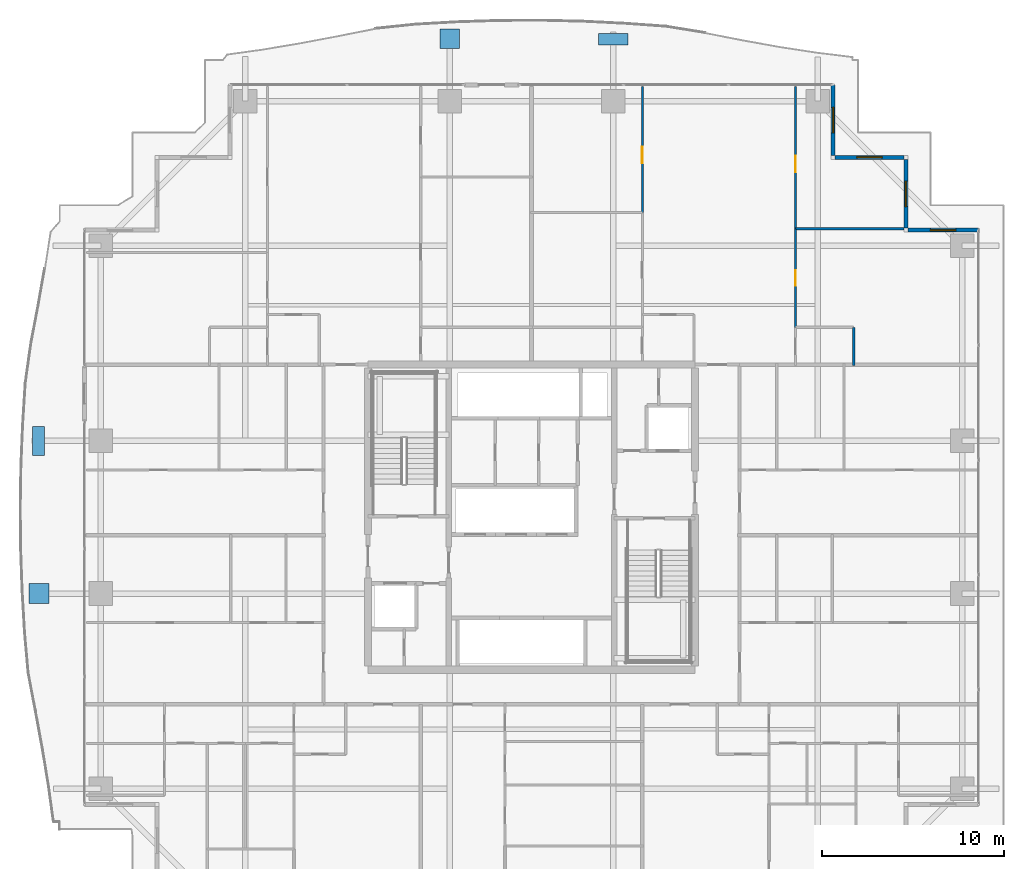
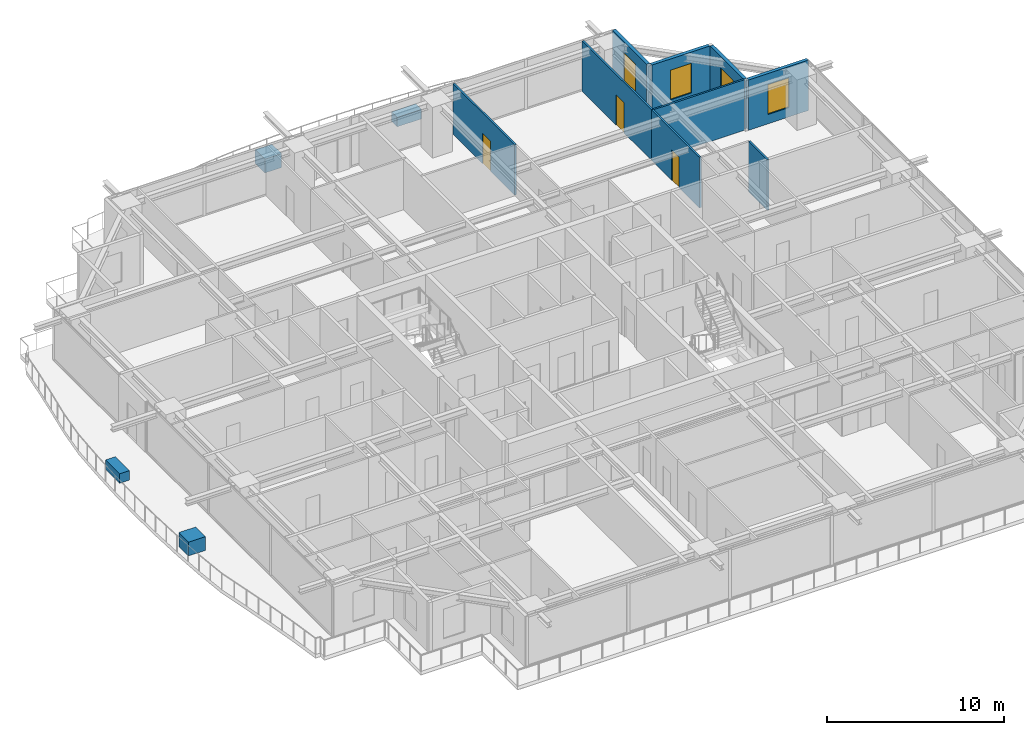
# One storey, part 32 of 38: 9 walls, 4 discrete accessories, 4 windows, 3 doors, 7 openings.
"""IFC4 building model written with IfcOpenShell, lengths in metres."""

from ifc_helpers import new_model, si_unit, direction, frame, frame_2d, origin, origin_2d, place, context, subcontext, project, spatial, rectangle, extrude, source, transform, mapped, material, layer, layer_set, type_object, element, fill, save


model = new_model("IFC4")

# Units and contexts
model_context = context("Model", 3, precision=1e-05, world=origin(), true_north=direction((0.0, 1.0)))
body_context = subcontext(model_context, "Body", "Model", "MODEL_VIEW")
ifc_project = project(units=[si_unit("LENGTHUNIT", "METRE"), si_unit("AREAUNIT", "SQUARE_METRE"), si_unit("VOLUMEUNIT", "CUBIC_METRE"), si_unit("PLANEANGLEUNIT", "RADIAN"), si_unit("MASSUNIT", "GRAM", prefix="KILO")], contexts=[model_context])

# Site, building, storey
site_placement = place(None, origin())
site = spatial("IfcSite", under=ifc_project, at=site_placement, CompositionType="ELEMENT")
building_placement = place(site_placement, origin())
building = spatial("IfcBuilding", under=site, at=building_placement, Name="Serunith Strait Residences", CompositionType="ELEMENT")
storey_placement = place(building_placement, frame((0.0, 0.0, 120.14990234375)))
storey = spatial("IfcBuildingStorey", under=building, at=storey_placement, Name="L29", CompositionType="ELEMENT", Elevation=120.14990234375)

# Wall, opening, window
ifc_material_1 = material(Name="Pale-Champagne Aluminium Insulated Panel", Category="aluminium")
ifc_layer_1 = layer(ifc_material_1, 0.219970703125, Name="Pale-Champagne Aluminium Insulated Panel")
ifc_layer_set_1 = layer_set([ifc_layer_1], Name="Pale-Champagne Aluminium Insulated Panel")
wall_type_1 = type_object("IfcWallType", Name="EW-ALUM-220", PredefinedType="ELEMENTEDWALL", material=ifc_layer_set_1)
wall_1_placement = place(storey_placement, frame((57.0, 41.0, 0.0), z_axis=(0.0, 0.0, 1.0), x_axis=(-1.0, 0.0, 0.0)))
wall_1 = element("IfcWall", 1, at=wall_1_placement, inside=storey, type_object=wall_type_1, Name="L29 Girih Serrated Corner Wall 07", PredefinedType="ELEMENTEDWALL", context=body_context, shape_type="SweptSolid", body=[
    extrude(rectangle(XDim=3.889892578125, YDim=0.219970703125, at=frame_2d((1.94482421875, 0.0))), origin(), (0.0, 0.0, 1.0), 3.47509765625),
])
opening_1_placement = place(wall_1_placement, frame((1.2451171875, 0.0, 0.64990234375)))
opening_1 = element("IfcOpeningElement", 2, at=opening_1_placement, cuts=wall_1, Name="Opening W-03", PredefinedType="OPENING", context=body_context, shape_type="SweptSolid", body=[
    extrude(rectangle(XDim=1.39990234375, YDim=2.050048828125, at=frame_2d((0.699951171875, 1.02490234375))), frame((0.0, 0.1201171875, 0.0), z_axis=(0.0, -1.0, 0.0), x_axis=(1.0, 0.0, 0.0)), (0.0, 0.0, 1.0), 0.239990234375),
])
ifc_material_2 = material(Name="Ceramic-Fritted Operable Aluminium Window Glass", Category="aluminium")
window_type = type_object("IfcWindowType", Name="WIN-C3", PartitioningType="SINGLE_PANEL", PredefinedType="WINDOW", material=ifc_material_2)
shared_shape_1 = source(origin(), body_context, "Body", "SweptSolid", [
    extrude(rectangle(XDim=1.39990234375, YDim=2.050048828125, at=frame_2d((0.699951171875, 1.02490234375))), frame((0.0, 0.030029296875, 0.0), z_axis=(0.0, -1.0, 0.0), x_axis=(1.0, 0.0, 0.0)), (0.0, 0.0, 1.0), 0.06005859375),
])
window_1_placement = place(opening_1_placement, origin())
window_1 = element("IfcWindow", 3, at=window_1_placement, inside=storey, type_object=window_type, Name="L29 Corner Operable Fritted Window 07", OverallHeight=2.050048828125, OverallWidth=1.39990234375, PartitioningType="SINGLE_PANEL", PredefinedType="WINDOW", context=body_context, shape_type="MappedRepresentation", body=[
    mapped(shared_shape_1, transform((0.0, 0.0, 0.0), scale=1.0)),
])
fill(opening_1, window_1)

wall_2_placement = place(storey_placement, frame((53.0, 41.110107421875, 0.0), z_axis=(0.0, 0.0, 1.0), x_axis=(0.0, 1.0, 0.0)))
wall_2 = element("IfcWall", 4, at=wall_2_placement, inside=storey, type_object=wall_type_1, Name="L29 Girih Serrated Corner Wall 08", PredefinedType="ELEMENTEDWALL", context=body_context, shape_type="SweptSolid", body=[
    extrude(rectangle(XDim=3.77978515625, YDim=0.219970703125, at=frame_2d((1.889892578125, 0.0))), origin(), (0.0, 0.0, 1.0), 3.47509765625),
])
opening_2_placement = place(wall_2_placement, frame((1.18994140625, 0.0, 0.64990234375)))
opening_2 = element("IfcOpeningElement", 5, at=opening_2_placement, cuts=wall_2, Name="Opening W-03", PredefinedType="OPENING", context=body_context, shape_type="SweptSolid", body=[
    extrude(rectangle(XDim=1.39990234375, YDim=2.050048828125, at=frame_2d((0.699951171875, 1.02490234375))), frame((0.0, 0.1201171875, 0.0), z_axis=(0.0, -1.0, 0.0), x_axis=(1.0, 0.0, 0.0)), (0.0, 0.0, 1.0), 0.239990234375),
])
window_2_placement = place(opening_2_placement, origin())
window_2 = element("IfcWindow", 6, at=window_2_placement, inside=storey, type_object=window_type, Name="L29 Corner Operable Fritted Window 08", OverallHeight=2.050048828125, OverallWidth=1.39990234375, PartitioningType="SINGLE_PANEL", PredefinedType="WINDOW", context=body_context, shape_type="MappedRepresentation", body=[
    mapped(shared_shape_1, transform((0.0, 0.0, 0.0), scale=1.0)),
])
fill(opening_2, window_2)

wall_3_placement = place(storey_placement, frame((52.889892578125, 45.0, 0.0), z_axis=(0.0, 0.0, 1.0), x_axis=(-1.0, 0.0, 0.0)))
wall_3 = element("IfcWall", 7, at=wall_3_placement, inside=storey, type_object=wall_type_1, Name="L29 Girih Serrated Corner Wall 09", PredefinedType="ELEMENTEDWALL", context=body_context, shape_type="SweptSolid", body=[
    extrude(rectangle(XDim=3.77978515625, YDim=0.219970703125, at=frame_2d((1.889892578125, 0.0))), origin(), (0.0, 0.0, 1.0), 3.47509765625),
])
opening_3_placement = place(wall_3_placement, frame((1.18994140625, 0.0, 0.64990234375)))
opening_3 = element("IfcOpeningElement", 8, at=opening_3_placement, cuts=wall_3, Name="Opening W-03", PredefinedType="OPENING", context=body_context, shape_type="SweptSolid", body=[
    extrude(rectangle(XDim=1.39990234375, YDim=2.050048828125, at=frame_2d((0.699951171875, 1.02490234375))), frame((0.0, 0.1201171875, 0.0), z_axis=(0.0, -1.0, 0.0), x_axis=(1.0, 0.0, 0.0)), (0.0, 0.0, 1.0), 0.239990234375),
])
window_3_placement = place(opening_3_placement, origin())
window_3 = element("IfcWindow", 9, at=window_3_placement, inside=storey, type_object=window_type, Name="L29 Corner Operable Fritted Window 09", OverallHeight=2.050048828125, OverallWidth=1.39990234375, PartitioningType="SINGLE_PANEL", PredefinedType="WINDOW", context=body_context, shape_type="MappedRepresentation", body=[
    mapped(shared_shape_1, transform((0.0, 0.0, 0.0), scale=1.0)),
])
fill(opening_3, window_3)

wall_4_placement = place(storey_placement, frame((49.0, 45.110107421875, 0.0), z_axis=(0.0, 0.0, 1.0), x_axis=(0.0, 1.0, 0.0)))
wall_4 = element("IfcWall", 10, at=wall_4_placement, inside=storey, type_object=wall_type_1, Name="L29 Girih Serrated Corner Wall 10", PredefinedType="ELEMENTEDWALL", context=body_context, shape_type="SweptSolid", body=[
    extrude(rectangle(XDim=3.889892578125, YDim=0.219970703125, at=frame_2d((1.94482421875, 0.0))), origin(), (0.0, 0.0, 1.0), 3.47509765625),
])
opening_4_placement = place(wall_4_placement, frame((1.2451171875, 0.0, 0.64990234375)))
opening_4 = element("IfcOpeningElement", 11, at=opening_4_placement, cuts=wall_4, Name="Opening W-03", PredefinedType="OPENING", context=body_context, shape_type="SweptSolid", body=[
    extrude(rectangle(XDim=1.39990234375, YDim=2.050048828125, at=frame_2d((0.699951171875, 1.02490234375))), frame((0.0, 0.1201171875, 0.0), z_axis=(0.0, -1.0, 0.0), x_axis=(1.0, 0.0, 0.0)), (0.0, 0.0, 1.0), 0.239990234375),
])
window_4_placement = place(opening_4_placement, origin())
window_4 = element("IfcWindow", 12, at=window_4_placement, inside=storey, type_object=window_type, Name="L29 Corner Operable Fritted Window 10", OverallHeight=2.050048828125, OverallWidth=1.39990234375, PartitioningType="SINGLE_PANEL", PredefinedType="WINDOW", context=body_context, shape_type="MappedRepresentation", body=[
    mapped(shared_shape_1, transform((0.0, 0.0, 0.0), scale=1.0)),
])
fill(opening_4, window_4)

# Wall, opening, door
ifc_material_3 = material(Name="Lightweight steel-stud gypsum partition", Category="steel")
ifc_layer_2 = layer(ifc_material_3, 0.1201171875, Name="Lightweight steel-stud gypsum partition")
ifc_layer_set_2 = layer_set([ifc_layer_2], Name="Lightweight steel-stud gypsum partition")
wall_type_2 = type_object("IfcWallType", Name="IW-PART-120", PredefinedType="PARTITIONING", material=ifc_layer_set_2)
wall_5_placement = place(storey_placement, frame((38.5, 48.905029296875, 0.0), z_axis=(0.0, 0.0, 1.0), x_axis=(0.0, -1.0, 0.0)))
wall_5 = element("IfcWall", 13, at=wall_5_placement, inside=storey, type_object=wall_type_2, Name="L29 Partition Wall 083", PredefinedType="PARTITIONING", context=body_context, shape_type="SweptSolid", body=[
    extrude(rectangle(XDim=6.93994140625, YDim=0.1201171875, at=frame_2d((3.469970703125, 0.0))), origin(), (0.0, 0.0, 1.0), 3.489990234375),
])
opening_5_placement = place(wall_5_placement, frame((3.322021484375, 0.0, 0.0)))
opening_5 = element("IfcOpeningElement", 14, at=opening_5_placement, cuts=wall_5, Name="Opening D-RM900", PredefinedType="OPENING", context=body_context, shape_type="SweptSolid", body=[
    extrude(rectangle(XDim=0.89990234375, YDim=2.10009765625, at=frame_2d((0.449951171875, 1.050048828125))), frame((0.0, 0.070068359375, 0.0), z_axis=(0.0, -1.0, 0.0), x_axis=(1.0, 0.0, 0.0)), (0.0, 0.0, 1.0), 0.14013671875),
])
ifc_material_4 = material(Name="Engineered timber flush bedroom door", Category="wood")
door_type_1 = type_object("IfcDoorType", Name="ID-ROOM-900", OperationType="NOTDEFINED", PredefinedType="DOOR", material=ifc_material_4)
shared_shape_2 = source(origin(), body_context, "Body", "SweptSolid", [
    extrude(rectangle(XDim=0.89990234375, YDim=2.10009765625, at=frame_2d((0.449951171875, 1.050048828125))), frame((0.0, 0.02490234375, 0.0), z_axis=(0.0, -1.0, 0.0), x_axis=(1.0, 0.0, 0.0)), (0.0, 0.0, 1.0), 0.050048828125),
])
door_1_placement = place(opening_5_placement, origin())
door_1 = element("IfcDoor", 15, at=door_1_placement, inside=storey, type_object=door_type_1, Name="L29 Master Bedroom 1 2905 Door", OperationType="SINGLE_SWING_LEFT", OverallHeight=2.10009765625, OverallWidth=0.89990234375, PredefinedType="DOOR", context=body_context, shape_type="MappedRepresentation", body=[
    mapped(shared_shape_2, transform((0.0, 0.0, 0.0), scale=1.0)),
])
fill(opening_5, door_1)

wall_6_placement = place(storey_placement, frame((46.929931640625, 48.905029296875, 0.0), z_axis=(0.0, 0.0, 1.0), x_axis=(0.0, -1.0, 0.0)))
wall_6 = element("IfcWall", 16, at=wall_6_placement, inside=storey, type_object=wall_type_2, Name="L29 Partition Wall 088", PredefinedType="PARTITIONING", context=body_context, shape_type="SweptSolid", body=[
    extrude(rectangle(XDim=7.830078125, YDim=0.1201171875, at=frame_2d((3.9150390625, 0.0))), origin(), (0.0, 0.0, 1.0), 3.489990234375),
])
opening_6_placement = place(wall_6_placement, frame((3.81103515625, 0.0, 0.0)))
opening_6 = element("IfcOpeningElement", 17, at=opening_6_placement, cuts=wall_6, Name="Opening D-RM900", PredefinedType="OPENING", context=body_context, shape_type="SweptSolid", body=[
    extrude(rectangle(XDim=0.89990234375, YDim=2.10009765625, at=frame_2d((0.449951171875, 1.050048828125))), frame((0.0, 0.070068359375, 0.0), z_axis=(0.0, -1.0, 0.0), x_axis=(1.0, 0.0, 0.0)), (0.0, 0.0, 1.0), 0.14013671875),
])
door_2_placement = place(opening_6_placement, origin())
door_2 = element("IfcDoor", 18, at=door_2_placement, inside=storey, type_object=door_type_1, Name="L29 Bedroom 2 2905 Door", OperationType="SINGLE_SWING_RIGHT", OverallHeight=2.10009765625, OverallWidth=0.89990234375, PredefinedType="DOOR", context=body_context, shape_type="MappedRepresentation", body=[
    mapped(shared_shape_2, transform((0.0, 0.0, 0.0), scale=1.0)),
])
fill(opening_6, door_2)

# Walls
wall_7_placement = place(storey_placement, frame((46.929931640625, 41.074951171875, 0.0), z_axis=(0.0, 0.0, 1.0), x_axis=(1.0, 0.0, 0.0)))
element("IfcWall", 19, at=wall_7_placement, inside=storey, type_object=wall_type_2, Name="L29 Partition Wall 089", PredefinedType="PARTITIONING", context=body_context, shape_type="SweptSolid", body=[
    extrude(rectangle(XDim=5.97509765625, YDim=0.1201171875, at=frame_2d((2.987548828125, 0.0))), origin(), (0.0, 0.0, 1.0), 3.489990234375),
])
wall_8_placement = place(storey_placement, frame((50.1298828125, 35.64990234375, 0.0), z_axis=(0.0, 0.0, 1.0), x_axis=(0.0, -1.0, 0.0)))
element("IfcWall", 20, at=wall_8_placement, inside=storey, type_object=wall_type_2, Name="L29 Partition Wall 091", PredefinedType="PARTITIONING", context=body_context, shape_type="SweptSolid", body=[
    extrude(rectangle(XDim=2.10986328125, YDim=0.1201171875, at=frame_2d((1.054931640625, 0.0))), origin(), (0.0, 0.0, 1.0), 3.489990234375),
])

# Wall, opening, door
wall_9_placement = place(storey_placement, frame((46.929931640625, 41.072998046875, 0.0), z_axis=(0.0, 0.0, 1.0), x_axis=(0.0, -1.0, 0.0)))
wall_9 = element("IfcWall", 21, at=wall_9_placement, inside=storey, type_object=wall_type_2, Name="L29 Partition Wall 092", PredefinedType="PARTITIONING", context=body_context, shape_type="SweptSolid", body=[
    extrude(rectangle(XDim=5.423095703125, YDim=0.1201171875, at=frame_2d((2.71142578125, 0.0))), origin(), (0.0, 0.0, 1.0), 3.489990234375),
])
opening_7_placement = place(wall_9_placement, frame((2.287109375, 0.0, 0.0)))
opening_7 = element("IfcOpeningElement", 22, at=opening_7_placement, cuts=wall_9, Name="Opening D-RM850", PredefinedType="OPENING", context=body_context, shape_type="SweptSolid", body=[
    extrude(rectangle(XDim=0.85009765625, YDim=2.10009765625, at=frame_2d((0.425048828125, 1.050048828125))), frame((0.0, 0.070068359375, 0.0), z_axis=(0.0, -1.0, 0.0), x_axis=(1.0, 0.0, 0.0)), (0.0, 0.0, 1.0), 0.14013671875),
])
ifc_material_5 = material(Name="Engineered timber flush study and kitchen door", Category="wood")
door_type_2 = type_object("IfcDoorType", Name="ID-ROOM-850", OperationType="NOTDEFINED", PredefinedType="DOOR", material=ifc_material_5)
shared_shape_3 = source(origin(), body_context, "Body", "SweptSolid", [
    extrude(rectangle(XDim=0.85009765625, YDim=2.10009765625, at=frame_2d((0.425048828125, 1.050048828125))), frame((0.0, 0.02490234375, 0.0), z_axis=(0.0, -1.0, 0.0), x_axis=(1.0, 0.0, 0.0)), (0.0, 0.0, 1.0), 0.050048828125),
])
door_3_placement = place(opening_7_placement, origin())
door_3 = element("IfcDoor", 23, at=door_3_placement, inside=storey, type_object=door_type_2, Name="L29 Walk-in Wardrobe 2905 Door", OperationType="SINGLE_SWING_LEFT", OverallHeight=2.10009765625, OverallWidth=0.85009765625, PredefinedType="DOOR", context=body_context, shape_type="MappedRepresentation", body=[
    mapped(shared_shape_3, transform((0.0, 0.0, 0.0), scale=1.0)),
])
fill(opening_7, door_3)

# Discrete accessories
ifc_material_6 = material(Name="GFRC Root-Anchored Structural Planter")
discrete_accessory_type_1 = type_object("IfcDiscreteAccessoryType", Name="ACC-PLANTER-TREE", PredefinedType="USERDEFINED", material=ifc_material_6)
shared_shape_4 = source(origin(), body_context, "Body", "SweptSolid", [
    extrude(rectangle(XDim=1.10009765625, YDim=1.10009765625, at=origin_2d()), origin(), (0.0, 0.0, 1.0), 0.949951171875),
])
for number, where, z_axis, x_axis, name in (
    (24, (27.89990234375, 51.53271484375, -0.0498046875), (0.0, 0.0, 1.0), (-1.0, 0.0, 0.0), "L29 Vertical-Forest Tree Planter 06"),
    (25, (5.284423828125, 21.0, -0.0498046875), (0.0, 0.0, 1.0), (0.0, -1.0, 0.0), "L29 Vertical-Forest Tree Planter 14"),
):
    element("IfcDiscreteAccessory", number, at=place(storey_placement, frame(where, z_axis=z_axis, x_axis=x_axis)), inside=storey, type_object=discrete_accessory_type_1, Name=name, ObjectType="PLANTER", PredefinedType="USERDEFINED", context=body_context, shape_type="MappedRepresentation", body=[
        mapped(shared_shape_4, transform((0.0, 0.0, 0.0), scale=1.0)),
    ])
ifc_material_7 = material(Name="GFRC Irrigated Shrub Trough Planter")
discrete_accessory_type_2 = type_object("IfcDiscreteAccessoryType", Name="ACC-PLANTER-SHRUB", PredefinedType="USERDEFINED", material=ifc_material_7)
shared_shape_5 = source(origin(), body_context, "Body", "SweptSolid", [
    extrude(rectangle(XDim=1.60009765625, YDim=0.64990234375, at=origin_2d()), origin(), (0.0, 0.0, 1.0), 0.64990234375),
])
for number, where, z_axis, x_axis, name in (
    (26, (36.89990234375, 51.50439453125, -0.0498046875), (0.0, 0.0, 1.0), (-1.0, 0.0, 0.0), "L29 Vertical-Forest Shrub Planter 07"),
    (27, (5.26513671875, 29.39990234375, -0.0498046875), (0.0, 0.0, 1.0), (0.0, -1.0, 0.0), "L29 Vertical-Forest Shrub Planter 15"),
):
    element("IfcDiscreteAccessory", number, at=place(storey_placement, frame(where, z_axis=z_axis, x_axis=x_axis)), inside=storey, type_object=discrete_accessory_type_2, Name=name, ObjectType="PLANTER", PredefinedType="USERDEFINED", context=body_context, shape_type="MappedRepresentation", body=[
        mapped(shared_shape_5, transform((0.0, 0.0, 0.0), scale=1.0)),
    ])

save(model, "model.ifc")
